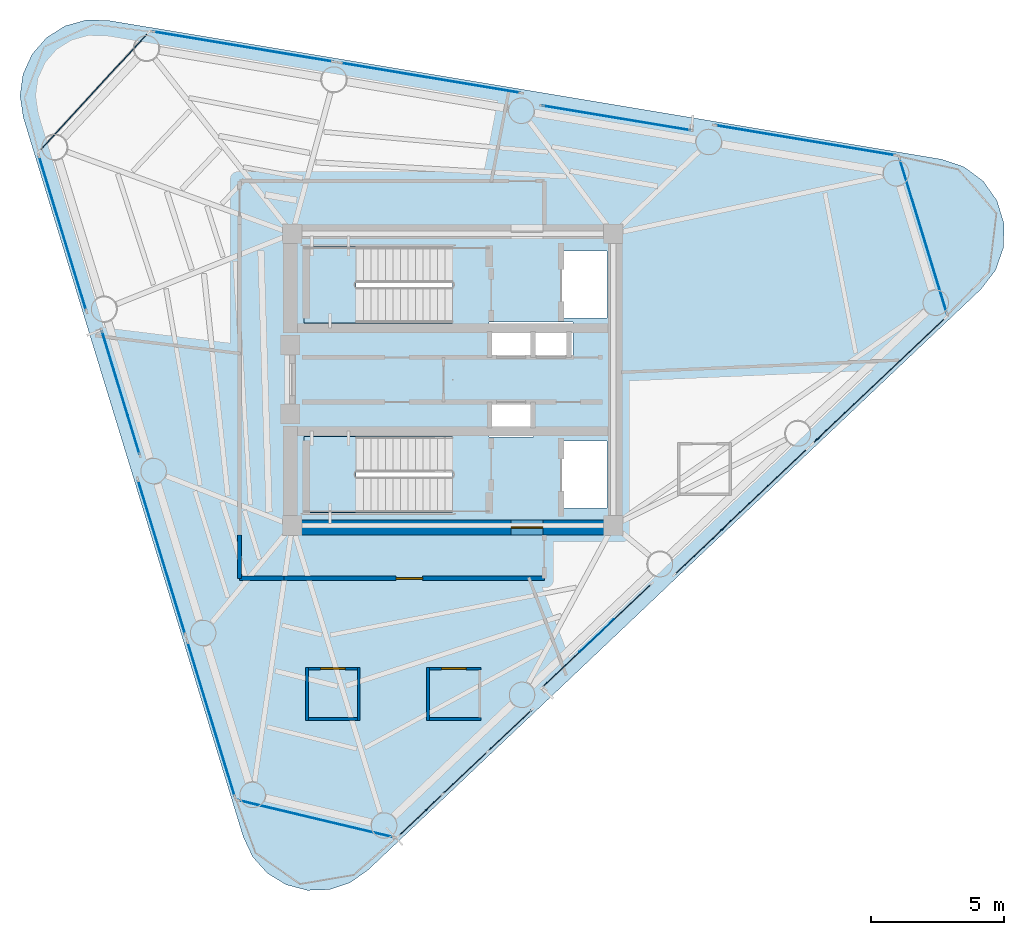
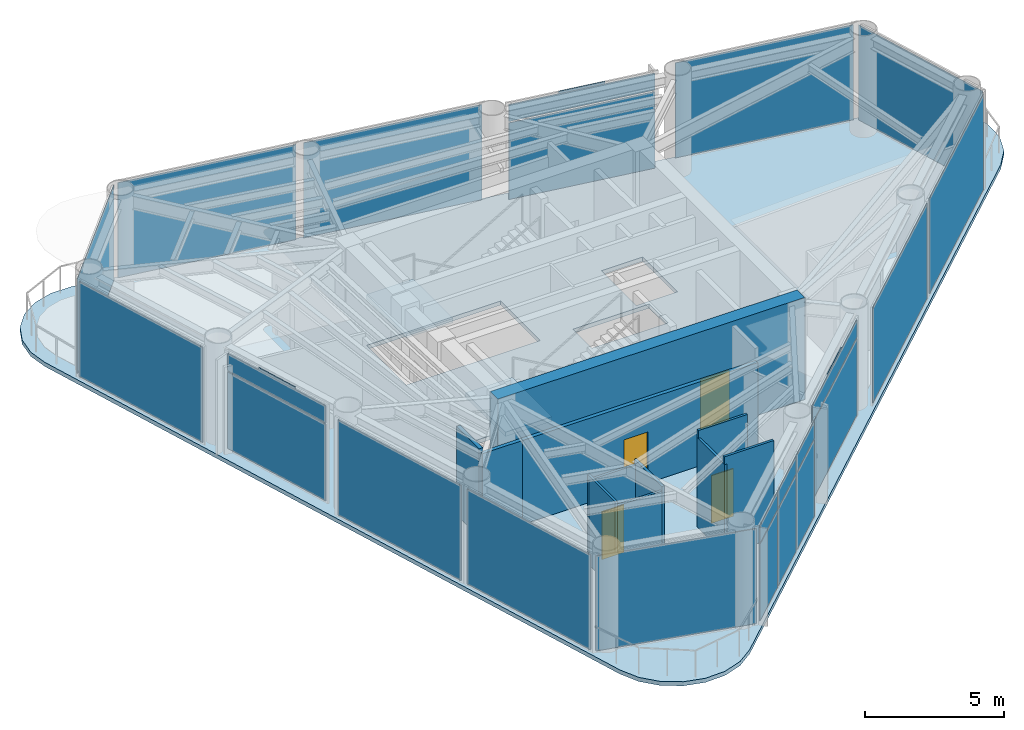
# One storey, part 5 of 11: 26 plates, 11 walls, 4 doors, 3 slabs, 4 openings, 17 elements without a shape of their own.
"""IFC4 building model written with IfcOpenShell, lengths in metres."""

from ifc_helpers import new_model, si_unit, direction, frame, frame_2d, origin, origin_2d, place, context, subcontext, project, spatial, polyline, rectangle, outline, extrude, source, transform, mapped, material, layer, layer_set, type_object, element, fill, aggregate, save


model = new_model("IFC4")

# Units and contexts
model_context = context("Model", 3, precision=1e-05, world=origin(), true_north=direction((0.0, 1.0)))
body_context = subcontext(model_context, "Body", "Model", "MODEL_VIEW")
ifc_project = project(units=[si_unit("LENGTHUNIT", "METRE"), si_unit("AREAUNIT", "SQUARE_METRE"), si_unit("VOLUMEUNIT", "CUBIC_METRE"), si_unit("PLANEANGLEUNIT", "RADIAN"), si_unit("MASSUNIT", "GRAM", prefix="KILO")], contexts=[model_context])

# Site, building, storey
site_placement = place(None, origin())
site = spatial("IfcSite", under=ifc_project, at=site_placement, CompositionType="ELEMENT")
building_placement = place(site_placement, origin())
building = spatial("IfcBuilding", under=site, at=building_placement, Name="Yunling Apex Tower", CompositionType="ELEMENT")
storey_placement = place(building_placement, frame((0.0, 0.0, 224.14990234375)))
storey = spatial("IfcBuildingStorey", under=building, at=storey_placement, Name="L54", CompositionType="ELEMENT", Elevation=224.14990234375)

# Slab
ifc_material_1 = material(Name="Concrete C40", Category="concrete")
ifc_layer_1 = layer(ifc_material_1, 0.155029296875)
ifc_layer_set_1 = layer_set([ifc_layer_1], Name="Concrete C40")
slab_type_1 = type_object("IfcSlabType", Name="SL-FLR-3", PredefinedType="FLOOR", material=ifc_layer_set_1)
slab_1_placement = place(storey_placement, frame((0.0, 0.0, -0.179931640625)))
element("IfcSlab", 1, at=slab_1_placement, inside=storey, type_object=slab_type_1, Name="L54 Composite Tower Floor Slab", PredefinedType="FLOOR", context=body_context, shape_type="SweptSolid", body=[
    extrude(outline(polyline([(-7.894287109375, -17.243408203125), (-7.54052734375, -17.991455078125), (-6.9873046875, -18.60693359375), (-6.281005859375, -19.0380859375), (-5.480712890625, -19.249267578125), (-4.65380859375, -19.22216796875), (-3.868896484375, -18.959716796875), (-3.192138671875, -18.483154296875), (19.91064453125, 3.409912109375), (20.459716796875, 4.126220703125), (20.7578125, 4.977783203125), (20.776123046875, 5.880126953125), (20.51220703125, 6.7431640625), (19.99267578125, 7.48095703125), (19.26904296875, 8.02001953125), (18.41357421875, 8.306884765625), (-12.982177734375, 13.538330078125), (-13.8095703125, 13.5546875), (-14.60693359375, 13.33349609375), (-15.307861328125, 12.8935546875), (-15.853271484375, 12.27099609375), (-16.197509765625, 11.5185546875), (-16.31201171875, 10.698974609375), (-16.187255859375, 9.881103515625), (-7.894287109375, -17.243408203125)]), holes=[polyline([(4.090087890625, 4.840087890625), (5.81005859375, 4.840087890625), (5.81005859375, 2.320068359375), (4.090087890625, 2.320068359375), (4.090087890625, 4.840087890625)]), polyline([(4.090087890625, -4.840087890625), (4.090087890625, -2.320068359375), (5.81005859375, -2.320068359375), (5.81005859375, -4.840087890625), (4.090087890625, -4.840087890625)]), polyline([(4.534912109375, 0.794921875), (1.364990234375, 0.794921875), (1.364990234375, 2.1650390625), (4.534912109375, 2.1650390625), (4.534912109375, 0.794921875)]), polyline([(1.364990234375, -0.794921875), (3.034912109375, -0.794921875), (3.034912109375, -2.1650390625), (1.364990234375, -2.1650390625), (1.364990234375, -0.794921875)]), polyline([(-0.010009765625, -5.010009765625), (-5.60009765625, -5.010009765625), (-5.60009765625, -2.139892578125), (-0.010009765625, -2.139892578125), (-0.010009765625, -5.010009765625)]), polyline([(-0.010009765625, 2.139892578125), (-5.60009765625, 2.139892578125), (-5.60009765625, 5.010009765625), (-0.010009765625, 5.010009765625), (-0.010009765625, 2.139892578125)])]), origin(), (0.0, 0.0, 1.0), 0.179931640625),
])

# Stair, slab
stair_type = type_object("IfcStairType", Name="ST-TWR-3", PredefinedType="HALF_TURN_STAIR", material=ifc_material_1)
stair_1_placement = place(storey_placement, origin())
stair_1 = element("IfcStair", 2, at=stair_1_placement, inside=storey, type_object=stair_type, Name="L54 North Core Smokeproof Exit Stair ST-1", PredefinedType="HALF_TURN_STAIR")
ifc_layer_2 = layer(ifc_material_1, 0.195068359375)
ifc_layer_set_2 = layer_set([ifc_layer_2], Name="Concrete C40")
slab_type_2 = type_object("IfcSlabType", Name="SL-LND-1", PredefinedType="LANDING", material=ifc_layer_set_2)
slab_2_placement = place(storey_placement, frame((0.0, 0.0, 2.05517578125)))
slab_2 = element("IfcSlab", 3, at=slab_2_placement, type_object=slab_type_2, Name="ST-1 landing 1", PredefinedType="LANDING", context=body_context, shape_type="SweptSolid", body=[
    extrude(outline(polyline([(-3.64990234375, 5.010009765625), (-5.60009765625, 5.010009765625), (-5.60009765625, 2.139892578125), (-3.64990234375, 2.139892578125), (-3.64990234375, 5.010009765625)])), origin(), (0.0, 0.0, 1.0), 0.19482421875),
])
aggregate(stair_1, [slab_2])

stair_2_placement = place(storey_placement, origin())
stair_2 = element("IfcStair", 4, at=stair_2_placement, inside=storey, type_object=stair_type, Name="L54 South Core Smokeproof Exit Stair ST-2", PredefinedType="HALF_TURN_STAIR")
slab_3_placement = place(storey_placement, frame((0.0, 0.0, 2.05517578125)))
slab_3 = element("IfcSlab", 5, at=slab_3_placement, type_object=slab_type_2, Name="ST-2 landing 1", PredefinedType="LANDING", context=body_context, shape_type="SweptSolid", body=[
    extrude(outline(polyline([(-3.64990234375, -2.139892578125), (-5.60009765625, -2.139892578125), (-5.60009765625, -5.010009765625), (-3.64990234375, -5.010009765625), (-3.64990234375, -2.139892578125)])), origin(), (0.0, 0.0, 1.0), 0.19482421875),
])
aggregate(stair_2, [slab_3])

# Plates
ifc_material_2 = material(Name="Bronze anodised aluminium", Category="aluminium")
ifc_layer_3 = layer(ifc_material_2, 0.011962890625)
ifc_layer_set_3 = layer_set([ifc_layer_3], Name="Bronze anodised aluminium")
plate_type_1 = type_object("IfcPlateType", Name="SP-SHT-1", PredefinedType="SHEET", material=ifc_layer_set_3)
shared_shape_1 = source(origin(), body_context, "Body", "SweptSolid", [
    extrude(rectangle(XDim=1.800048828125, YDim=0.02392578125, at=origin_2d()), origin(), (0.0, 0.0, 1.0), 0.43994140625),
])
for number, where, z_axis, x_axis, name in (
    (6, (5.429931640625, -9.651123046875, 3.920166015625), (0.0, 0.0, 1.0), (0.725854756355, 0.687848001144, 0.0), "SP-GRV-L54-F1"),
    (7, (6.168701171875, 9.860595703125, 3.920166015625), (0.0, 0.0, 1.0), (-0.986400586142, 0.164359008451, 0.0), "SP-GRV-L54-F2"),
    (8, (-12.5146484375, -0.489501953125, 3.920166015625), (0.0, 0.0, 1.0), (0.292371704723, -0.956304755963, 0.0), "SP-GRV-L54-F3"),
):
    element("IfcPlate", number, at=place(storey_placement, frame(where, z_axis=z_axis, x_axis=x_axis)), inside=storey, type_object=plate_type_1, Name=name, PredefinedType="SHEET", context=body_context, shape_type="MappedRepresentation", body=[
        mapped(shared_shape_1, transform((0.0, 0.0, 0.0), scale=1.0)),
    ])

# Curtain wall, plates
ifc_layer_4 = layer(ifc_material_2, 0.199951171875)
ifc_layer_set_4 = layer_set([ifc_layer_4], Name="Bronze anodised aluminium")
curtain_wall_type = type_object("IfcCurtainWallType", Name="CW-SYS-5", PredefinedType="NOTDEFINED", material=ifc_layer_set_4)
curtain_wall_1_placement = place(storey_placement, origin())
curtain_wall_1 = element("IfcCurtainWall", 9, at=curtain_wall_1_placement, inside=storey, type_object=curtain_wall_type, Name="CW-L54-F1-B1", PredefinedType="NOTDEFINED")
ifc_material_3 = material(Name="Bronze tinted low-E glass", Category="glass")
ifc_layer_5 = layer(ifc_material_3, 0.028076171875)
ifc_layer_set_5 = layer_set([ifc_layer_5], Name="Bronze tinted low-E glass")
plate_type_2 = type_object("IfcPlateType", Name="CW-PNL-5", PredefinedType="CURTAIN_PANEL", material=ifc_layer_set_5)
shared_shape_2 = source(origin(), body_context, "Body", "SweptSolid", [
    extrude(rectangle(XDim=2.23681640625, YDim=0.028076171875, at=origin_2d()), origin(), (0.0, 0.0, 1.0), 3.373046875),
])
plate_1_placement = place(storey_placement, frame((-1.214599609375, -16.416259765625, 0.0673828125), z_axis=(0.0, 0.0, 1.0), x_axis=(0.72585471909, 0.687848040467, 0.0)))
plate_1 = element("IfcPlate", 10, at=plate_1_placement, type_object=plate_type_2, Name="CW-SYS-5 panel 1.1", PredefinedType="CURTAIN_PANEL", context=body_context, shape_type="MappedRepresentation", body=[
    mapped(shared_shape_2, transform((0.0, 0.0, 0.0), scale=1.0)),
])
plate_2_placement = place(storey_placement, frame((2.14599609375, -13.2314453125, 0.0673828125), z_axis=(0.0, 0.0, 1.0), x_axis=(0.72585471909, 0.687848040467, 0.0)))
plate_2 = element("IfcPlate", 11, at=plate_2_placement, type_object=plate_type_2, Name="CW-SYS-5 panel 3.1", PredefinedType="CURTAIN_PANEL", context=body_context, shape_type="MappedRepresentation", body=[
    mapped(shared_shape_2, transform((0.0, 0.0, 0.0), scale=1.0)),
])
shared_shape_3 = source(origin(), body_context, "Body", "SweptSolid", [
    extrude(rectangle(XDim=2.23681640625, YDim=0.028076171875, at=origin_2d()), origin(), (0.0, 0.0, 1.0), 0.7529296875),
])
plate_3_placement = place(storey_placement, frame((-1.214599609375, -16.416259765625, 3.5), z_axis=(0.0, 0.0, 1.0), x_axis=(0.72585471909, 0.687848040467, 0.0)))
plate_3 = element("IfcPlate", 12, at=plate_3_placement, type_object=plate_type_2, Name="CW-SYS-5 panel 1.2", PredefinedType="CURTAIN_PANEL", context=body_context, shape_type="MappedRepresentation", body=[
    mapped(shared_shape_3, transform((0.0, 0.0, 0.0), scale=1.0)),
])
plate_4_placement = place(storey_placement, frame((2.14599609375, -13.2314453125, 3.5), z_axis=(0.0, 0.0, 1.0), x_axis=(0.72585471909, 0.687848040467, 0.0)))
plate_4 = element("IfcPlate", 13, at=plate_4_placement, type_object=plate_type_2, Name="CW-SYS-5 panel 3.2", PredefinedType="CURTAIN_PANEL", context=body_context, shape_type="MappedRepresentation", body=[
    mapped(shared_shape_3, transform((0.0, 0.0, 0.0), scale=1.0)),
])
shared_shape_4 = source(origin(), body_context, "Body", "SweptSolid", [
    extrude(rectangle(XDim=2.2744140625, YDim=0.028076171875, at=origin_2d()), origin(), (0.0, 0.0, 1.0), 3.373046875),
])
plate_5_placement = place(storey_placement, frame((0.4658203125, -14.823974609375, 0.0673828125), z_axis=(0.0, 0.0, 1.0), x_axis=(0.72585471909, 0.687848040467, 0.0)))
plate_5 = element("IfcPlate", 14, at=plate_5_placement, type_object=plate_type_2, Name="CW-SYS-5 panel 2.1", PredefinedType="CURTAIN_PANEL", context=body_context, shape_type="MappedRepresentation", body=[
    mapped(shared_shape_4, transform((0.0, 0.0, 0.0), scale=1.0)),
])
shared_shape_5 = source(origin(), body_context, "Body", "SweptSolid", [
    extrude(rectangle(XDim=2.2744140625, YDim=0.028076171875, at=origin_2d()), origin(), (0.0, 0.0, 1.0), 0.7529296875),
])
plate_6_placement = place(storey_placement, frame((0.4658203125, -14.823974609375, 3.5), z_axis=(0.0, 0.0, 1.0), x_axis=(0.72585471909, 0.687848040467, 0.0)))
plate_6 = element("IfcPlate", 15, at=plate_6_placement, type_object=plate_type_2, Name="CW-SYS-5 panel 2.2", PredefinedType="CURTAIN_PANEL", context=body_context, shape_type="MappedRepresentation", body=[
    mapped(shared_shape_5, transform((0.0, 0.0, 0.0), scale=1.0)),
])
aggregate(curtain_wall_1, [plate_1, plate_3, plate_5, plate_6, plate_2, plate_4])

# Curtain wall, plate
curtain_wall_2_placement = place(storey_placement, origin())
curtain_wall_2 = element("IfcCurtainWall", 16, at=curtain_wall_2_placement, inside=storey, type_object=curtain_wall_type, Name="CW-L54-F1-B2", PredefinedType="NOTDEFINED")
shared_shape_6 = source(origin(), body_context, "Body", "SweptSolid", [
    extrude(rectangle(XDim=5.626953125, YDim=0.028076171875, at=origin_2d()), origin(), (0.0, 0.0, 1.0), 3.373046875),
])
plate_7_placement = place(storey_placement, frame((5.429931640625, -9.651123046875, 0.0673828125), z_axis=(0.0, 0.0, 1.0), x_axis=(0.725848686167, 0.687854406681, 0.0)))
plate_7 = element("IfcPlate", 17, at=plate_7_placement, type_object=plate_type_2, Name="CW-SYS-5 panel 1.1", PredefinedType="CURTAIN_PANEL", context=body_context, shape_type="MappedRepresentation", body=[
    mapped(shared_shape_6, transform((0.0, 0.0, 0.0), scale=1.0)),
])

curtain_wall_3_placement = place(storey_placement, origin())
curtain_wall_3 = element("IfcCurtainWall", 18, at=curtain_wall_3_placement, inside=storey, type_object=curtain_wall_type, Name="CW-L54-F2-B2", PredefinedType="NOTDEFINED")
plate_8_placement = place(storey_placement, frame((6.168701171875, 9.860595703125, 0.0673828125), z_axis=(0.0, 0.0, 1.0), x_axis=(-0.986398614513, 0.164370840747, 0.0)))
plate_8 = element("IfcPlate", 19, at=plate_8_placement, type_object=plate_type_2, Name="CW-SYS-5 panel 1.1", PredefinedType="CURTAIN_PANEL", context=body_context, shape_type="MappedRepresentation", body=[
    mapped(shared_shape_6, transform((0.0, 0.0, 0.0), scale=1.0)),
])

# Plate
shared_shape_7 = source(origin(), body_context, "Body", "SweptSolid", [
    extrude(rectangle(XDim=5.626953125, YDim=0.028076171875, at=origin_2d()), origin(), (0.0, 0.0, 1.0), 0.7529296875),
])
plate_9_placement = place(storey_placement, frame((5.429931640625, -9.651123046875, 3.5), z_axis=(0.0, 0.0, 1.0), x_axis=(0.725848686167, 0.687854406681, 0.0)))
plate_9 = element("IfcPlate", 20, at=plate_9_placement, type_object=plate_type_2, Name="CW-SYS-5 panel 1.2", PredefinedType="CURTAIN_PANEL", context=body_context, shape_type="MappedRepresentation", body=[
    mapped(shared_shape_7, transform((0.0, 0.0, 0.0), scale=1.0)),
])

aggregate(curtain_wall_2, [plate_7, plate_9])

plate_10_placement = place(storey_placement, frame((6.168701171875, 9.860595703125, 3.5), z_axis=(0.0, 0.0, 1.0), x_axis=(-0.986398614513, 0.164370840747, 0.0)))
plate_10 = element("IfcPlate", 21, at=plate_10_placement, type_object=plate_type_2, Name="CW-SYS-5 panel 1.2", PredefinedType="CURTAIN_PANEL", context=body_context, shape_type="MappedRepresentation", body=[
    mapped(shared_shape_7, transform((0.0, 0.0, 0.0), scale=1.0)),
])

aggregate(curtain_wall_3, [plate_8, plate_10])

# Curtain wall, plate
curtain_wall_4_placement = place(storey_placement, origin())
curtain_wall_4 = element("IfcCurtainWall", 22, at=curtain_wall_4_placement, inside=storey, type_object=curtain_wall_type, Name="CW-L54-F1-B3", PredefinedType="NOTDEFINED")
shared_shape_8 = source(origin(), body_context, "Body", "SweptSolid", [
    extrude(rectangle(XDim=6.866943359375, YDim=0.028076171875, at=origin_2d()), origin(), (0.0, 0.0, 1.0), 4.185546875),
])
plate_11_placement = place(storey_placement, frame((10.862060546875, -4.97216796875, 0.0673828125), z_axis=(0.0, 0.0, 1.0), x_axis=(0.72585471909, 0.687848040467, 0.0)))
plate_11 = element("IfcPlate", 23, at=plate_11_placement, type_object=plate_type_2, Name="CW-SYS-5 panel 1.1", PredefinedType="CURTAIN_PANEL", context=body_context, shape_type="MappedRepresentation", body=[
    mapped(shared_shape_8, transform((0.0, 0.0, 0.0), scale=1.0)),
])
aggregate(curtain_wall_4, [plate_11])

curtain_wall_5_placement = place(storey_placement, origin())
curtain_wall_5 = element("IfcCurtainWall", 24, at=curtain_wall_5_placement, inside=storey, type_object=curtain_wall_type, Name="CW-L54-F1-B4", PredefinedType="NOTDEFINED")
plate_12_placement = place(storey_placement, frame((16.060302734375, -0.046142578125, 0.0673828125), z_axis=(0.0, 0.0, 1.0), x_axis=(0.72585471909, 0.687848040467, 0.0)))
plate_12 = element("IfcPlate", 25, at=plate_12_placement, type_object=plate_type_2, Name="CW-SYS-5 panel 1.1", PredefinedType="CURTAIN_PANEL", context=body_context, shape_type="MappedRepresentation", body=[
    mapped(shared_shape_8, transform((0.0, 0.0, 0.0), scale=1.0)),
])
aggregate(curtain_wall_5, [plate_12])

curtain_wall_6_placement = place(storey_placement, origin())
curtain_wall_6 = element("IfcCurtainWall", 26, at=curtain_wall_6_placement, inside=storey, type_object=curtain_wall_type, Name="CW-L54-F2-B1", PredefinedType="NOTDEFINED")
plate_13_placement = place(storey_placement, frame((13.288818359375, 9.01904296875, 0.0673828125), z_axis=(0.0, 0.0, 1.0), x_axis=(-0.9864016432, 0.164352664392, 0.0)))
plate_13 = element("IfcPlate", 27, at=plate_13_placement, type_object=plate_type_2, Name="CW-SYS-5 panel 1.1", PredefinedType="CURTAIN_PANEL", context=body_context, shape_type="MappedRepresentation", body=[
    mapped(shared_shape_8, transform((0.0, 0.0, 0.0), scale=1.0)),
])
aggregate(curtain_wall_6, [plate_13])

curtain_wall_7_placement = place(storey_placement, origin())
curtain_wall_7 = element("IfcCurtainWall", 28, at=curtain_wall_7_placement, inside=storey, type_object=curtain_wall_type, Name="CW-L54-F2-B3", PredefinedType="NOTDEFINED")
plate_14_placement = place(storey_placement, frame((-0.83935546875, 11.373046875, 0.0673828125), z_axis=(0.0, 0.0, 1.0), x_axis=(-0.9864016432, 0.164352664392, 0.0)))
plate_14 = element("IfcPlate", 29, at=plate_14_placement, type_object=plate_type_2, Name="CW-SYS-5 panel 1.1", PredefinedType="CURTAIN_PANEL", context=body_context, shape_type="MappedRepresentation", body=[
    mapped(shared_shape_8, transform((0.0, 0.0, 0.0), scale=1.0)),
])
aggregate(curtain_wall_7, [plate_14])

curtain_wall_8_placement = place(storey_placement, origin())
curtain_wall_8 = element("IfcCurtainWall", 30, at=curtain_wall_8_placement, inside=storey, type_object=curtain_wall_type, Name="CW-L54-F2-B4", PredefinedType="NOTDEFINED")
plate_15_placement = place(storey_placement, frame((-7.9033203125, 12.550048828125, 0.0673828125), z_axis=(0.0, 0.0, 1.0), x_axis=(-0.9864016432, 0.164352664392, 0.0)))
plate_15 = element("IfcPlate", 31, at=plate_15_placement, type_object=plate_type_2, Name="CW-SYS-5 panel 1.1", PredefinedType="CURTAIN_PANEL", context=body_context, shape_type="MappedRepresentation", body=[
    mapped(shared_shape_8, transform((0.0, 0.0, 0.0), scale=1.0)),
])
aggregate(curtain_wall_8, [plate_15])

curtain_wall_9_placement = place(storey_placement, origin())
curtain_wall_9 = element("IfcCurtainWall", 32, at=curtain_wall_9_placement, inside=storey, type_object=curtain_wall_type, Name="CW-L54-CRN1", PredefinedType="NOTDEFINED")
shared_shape_9 = source(origin(), body_context, "Body", "SweptSolid", [
    extrude(rectangle(XDim=6.1181640625, YDim=0.028076171875, at=origin_2d()), origin(), (0.0, 0.0, 1.0), 4.185546875),
])
plate_16_placement = place(storey_placement, frame((17.7314453125, 5.421142578125, 0.0673828125), z_axis=(0.0, 0.0, 1.0), x_axis=(-0.292369275379, 0.956305498685, 0.0)))
plate_16 = element("IfcPlate", 33, at=plate_16_placement, type_object=plate_type_2, Name="CW-SYS-5 panel 1.1", PredefinedType="CURTAIN_PANEL", context=body_context, shape_type="MappedRepresentation", body=[
    mapped(shared_shape_9, transform((0.0, 0.0, 0.0), scale=1.0)),
])
aggregate(curtain_wall_9, [plate_16])

curtain_wall_10_placement = place(storey_placement, origin())
curtain_wall_10 = element("IfcCurtainWall", 34, at=curtain_wall_10_placement, inside=storey, type_object=curtain_wall_type, Name="CW-L54-CRN2", PredefinedType="NOTDEFINED")
shared_shape_10 = source(origin(), body_context, "Body", "SweptSolid", [
    extrude(rectangle(XDim=6.042724609375, YDim=0.028076171875, at=origin_2d()), origin(), (0.0, 0.0, 1.0), 4.185546875),
])
plate_17_placement = place(storey_placement, frame((-13.529052734375, 10.84521484375, 0.0673828125), z_axis=(0.0, 0.0, 1.0), x_axis=(-0.676835909266, -0.736133922549, 0.0)))
plate_17 = element("IfcPlate", 35, at=plate_17_placement, type_object=plate_type_2, Name="CW-SYS-5 panel 1.1", PredefinedType="CURTAIN_PANEL", context=body_context, shape_type="MappedRepresentation", body=[
    mapped(shared_shape_10, transform((0.0, 0.0, 0.0), scale=1.0)),
])
aggregate(curtain_wall_10, [plate_17])

curtain_wall_11_placement = place(storey_placement, origin())
curtain_wall_11 = element("IfcCurtainWall", 36, at=curtain_wall_11_placement, inside=storey, type_object=curtain_wall_type, Name="CW-L54-F3-B1", PredefinedType="NOTDEFINED")
shared_shape_11 = source(origin(), body_context, "Body", "SweptSolid", [
    extrude(rectangle(XDim=6.08740234375, YDim=0.028076171875, at=origin_2d()), origin(), (0.0, 0.0, 1.0), 4.185546875),
])
plate_18_placement = place(storey_placement, frame((-14.705810546875, 5.51416015625, 0.0673828125), z_axis=(0.0, 0.0, 1.0), x_axis=(0.29237206414, -0.956304646078, 0.0)))
plate_18 = element("IfcPlate", 37, at=plate_18_placement, type_object=plate_type_2, Name="CW-SYS-5 panel 1.1", PredefinedType="CURTAIN_PANEL", context=body_context, shape_type="MappedRepresentation", body=[
    mapped(shared_shape_11, transform((0.0, 0.0, 0.0), scale=1.0)),
])
aggregate(curtain_wall_11, [plate_18])

curtain_wall_12_placement = place(storey_placement, origin())
curtain_wall_12 = element("IfcCurtainWall", 38, at=curtain_wall_12_placement, inside=storey, type_object=curtain_wall_type, Name="CW-L54-F3-B3", PredefinedType="NOTDEFINED")
plate_19_placement = place(storey_placement, frame((-10.973876953125, -6.69189453125, 0.0673828125), z_axis=(0.0, 0.0, 1.0), x_axis=(0.29237206414, -0.956304646078, 0.0)))
plate_19 = element("IfcPlate", 39, at=plate_19_placement, type_object=plate_type_2, Name="CW-SYS-5 panel 1.1", PredefinedType="CURTAIN_PANEL", context=body_context, shape_type="MappedRepresentation", body=[
    mapped(shared_shape_11, transform((0.0, 0.0, 0.0), scale=1.0)),
])
aggregate(curtain_wall_12, [plate_19])

curtain_wall_13_placement = place(storey_placement, origin())
curtain_wall_13 = element("IfcCurtainWall", 40, at=curtain_wall_13_placement, inside=storey, type_object=curtain_wall_type, Name="CW-L54-F3-B4", PredefinedType="NOTDEFINED")
plate_20_placement = place(storey_placement, frame((-9.108154296875, -12.794921875, 0.0673828125), z_axis=(0.0, 0.0, 1.0), x_axis=(0.29237206414, -0.956304646078, 0.0)))
plate_20 = element("IfcPlate", 41, at=plate_20_placement, type_object=plate_type_2, Name="CW-SYS-5 panel 1.1", PredefinedType="CURTAIN_PANEL", context=body_context, shape_type="MappedRepresentation", body=[
    mapped(shared_shape_11, transform((0.0, 0.0, 0.0), scale=1.0)),
])
aggregate(curtain_wall_13, [plate_20])

# Curtain wall, plates
curtain_wall_14_placement = place(storey_placement, origin())
curtain_wall_14 = element("IfcCurtainWall", 42, at=curtain_wall_14_placement, inside=storey, type_object=curtain_wall_type, Name="CW-L54-F3-B2", PredefinedType="NOTDEFINED")
shared_shape_12 = source(origin(), body_context, "Body", "SweptSolid", [
    extrude(rectangle(XDim=4.847412109375, YDim=0.028076171875, at=origin_2d()), origin(), (0.0, 0.0, 1.0), 3.373046875),
])
plate_21_placement = place(storey_placement, frame((-12.5146484375, -0.489501953125, 0.0673828125), z_axis=(0.0, 0.0, 1.0), x_axis=(0.29237304737, -0.956304345474, 0.0)))
plate_21 = element("IfcPlate", 43, at=plate_21_placement, type_object=plate_type_2, Name="CW-SYS-5 panel 1.1", PredefinedType="CURTAIN_PANEL", context=body_context, shape_type="MappedRepresentation", body=[
    mapped(shared_shape_12, transform((0.0, 0.0, 0.0), scale=1.0)),
])
shared_shape_13 = source(origin(), body_context, "Body", "SweptSolid", [
    extrude(rectangle(XDim=4.847412109375, YDim=0.028076171875, at=origin_2d()), origin(), (0.0, 0.0, 1.0), 0.7529296875),
])
plate_22_placement = place(storey_placement, frame((-12.5146484375, -0.489501953125, 3.5), z_axis=(0.0, 0.0, 1.0), x_axis=(0.29237304737, -0.956304345474, 0.0)))
plate_22 = element("IfcPlate", 44, at=plate_22_placement, type_object=plate_type_2, Name="CW-SYS-5 panel 1.2", PredefinedType="CURTAIN_PANEL", context=body_context, shape_type="MappedRepresentation", body=[
    mapped(shared_shape_13, transform((0.0, 0.0, 0.0), scale=1.0)),
])
aggregate(curtain_wall_14, [plate_21, plate_22])

# Curtain wall, plate
curtain_wall_15_placement = place(storey_placement, origin())
curtain_wall_15 = element("IfcCurtainWall", 45, at=curtain_wall_15_placement, inside=storey, type_object=curtain_wall_type, Name="CW-L54-CRN3", PredefinedType="NOTDEFINED")
shared_shape_14 = source(origin(), body_context, "Body", "SweptSolid", [
    extrude(rectangle(XDim=6.04248046875, YDim=0.028076171875, at=origin_2d()), origin(), (0.0, 0.0, 1.0), 4.185546875),
])
plate_23_placement = place(storey_placement, frame((-5.151611328125, -16.556396484375, 0.0673828125), z_axis=(0.0, 0.0, 1.0), x_axis=(0.97276120775, -0.231809474992, 0.0)))
plate_23 = element("IfcPlate", 46, at=plate_23_placement, type_object=plate_type_2, Name="CW-SYS-5 panel 1.1", PredefinedType="CURTAIN_PANEL", context=body_context, shape_type="MappedRepresentation", body=[
    mapped(shared_shape_14, transform((0.0, 0.0, 0.0), scale=1.0)),
])
aggregate(curtain_wall_15, [plate_23])

# Wall, opening, door
ifc_layer_6 = layer(ifc_material_1, 0.550048828125)
ifc_layer_set_6 = layer_set([ifc_layer_6], Name="Concrete C40")
wall_type_1 = type_object("IfcWallType", Name="WL-COR-3", PredefinedType="SHEAR", material=ifc_layer_set_6)
wall_1_placement = place(storey_placement, frame((-6.39990234375, -5.574951171875, 0.0), z_axis=(0.0, 0.0, 1.0), x_axis=(1.0, 0.0, 0.0)))
wall_1 = element("IfcWall", 47, at=wall_1_placement, inside=storey, type_object=wall_type_1, Name="L54 South Core Shear Wall", PredefinedType="SHEAR", context=body_context, shape_type="SweptSolid", body=[
    extrude(rectangle(XDim=12.7998046875, YDim=0.550048828125, at=frame_2d((6.39990234375, 0.0))), origin(), (0.0, 0.0, 1.0), 4.5),
])
opening_1_placement = place(wall_1_placement, frame((8.60009765625, 0.0, 0.0)))
opening_1 = element("IfcOpeningElement", 48, at=opening_1_placement, cuts=wall_1, Name="Opening DR-FFL-1", PredefinedType="OPENING", context=body_context, shape_type="SweptSolid", body=[
    extrude(rectangle(XDim=1.199951171875, YDim=2.199951171875, at=frame_2d((0.60009765625, 1.10009765625))), frame((0.0, 0.28515625, 0.0), z_axis=(0.0, -1.0, 0.0), x_axis=(1.0, 0.0, 0.0)), (0.0, 0.0, 1.0), 0.570068359375),
])
ifc_material_4 = material(Name="Steel Q355B", Category="steel")
door_type_1 = type_object("IfcDoorType", Name="DR-FFL-1", OperationType="NOTDEFINED", PredefinedType="DOOR", material=ifc_material_4)
door_1_placement = place(opening_1_placement, origin())
door_1 = element("IfcDoor", 49, at=door_1_placement, inside=storey, type_object=door_type_1, Name="L54 South Firefighting Lobby Door", OperationType="SINGLE_SWING_RIGHT", OverallHeight=2.199951171875, OverallWidth=1.199951171875, PredefinedType="DOOR", context=body_context, shape_type="SweptSolid", body=[
    extrude(rectangle(XDim=1.199951171875, YDim=2.199951171875, at=frame_2d((0.60009765625, 1.10009765625))), frame((0.0, 0.02490234375, 0.0), z_axis=(0.0, -1.0, 0.0), x_axis=(1.0, 0.0, 0.0)), (0.0, 0.0, 1.0), 0.050048828125),
])
fill(opening_1, door_1)

ifc_material_5 = material(Name="Gypsum board acoustic partition")
ifc_layer_7 = layer(ifc_material_5, 0.159912109375)
ifc_layer_set_7 = layer_set([ifc_layer_7], Name="Gypsum board acoustic partition")
wall_type_2 = type_object("IfcWallType", Name="WL-PRT-1", PredefinedType="PARTITIONING", material=ifc_layer_set_7)
wall_2_placement = place(storey_placement, frame((3.449951171875, -7.489990234375, 0.0), z_axis=(0.0, 0.0, 1.0), x_axis=(-1.0, 0.0, 0.0)))
wall_2 = element("IfcWall", 50, at=wall_2_placement, inside=storey, type_object=wall_type_2, Name="WL-CORR-L54-06", PredefinedType="PARTITIONING", context=body_context, shape_type="SweptSolid", body=[
    extrude(rectangle(XDim=9.81005859375, YDim=0.159912109375, at=frame_2d((4.905029296875, 0.0))), origin(), (0.0, 0.0, 1.0), 3.705078125),
])
opening_2_placement = place(wall_2_placement, frame((4.585205078125, 0.0, 0.0)))
opening_2 = element("IfcOpeningElement", 51, at=opening_2_placement, cuts=wall_2, Name="Opening DR-OFF-1", PredefinedType="OPENING", context=body_context, shape_type="SweptSolid", body=[
    extrude(rectangle(XDim=1.0, YDim=2.25, at=frame_2d((0.5, 1.125))), frame((0.0, 0.08984375, 0.0), z_axis=(0.0, -1.0, 0.0), x_axis=(1.0, 0.0, 0.0)), (0.0, 0.0, 1.0), 0.179931640625),
])
door_type_2 = type_object("IfcDoorType", Name="DR-OFF-1", OperationType="NOTDEFINED", PredefinedType="DOOR", material=ifc_material_2)
door_2_placement = place(opening_2_placement, origin())
door_2 = element("IfcDoor", 52, at=door_2_placement, inside=storey, type_object=door_type_2, Name="L54 Service Foyer Lounge Door", OperationType="SINGLE_SWING_LEFT", OverallHeight=2.25, OverallWidth=1.0, PredefinedType="DOOR", context=body_context, shape_type="SweptSolid", body=[
    extrude(rectangle(XDim=1.0, YDim=2.25, at=frame_2d((0.5, 1.125))), frame((0.0, 0.02490234375, 0.0), z_axis=(0.0, -1.0, 0.0), x_axis=(1.0, 0.0, 0.0)), (0.0, 0.0, 1.0), 0.050048828125),
])
fill(opening_2, door_2)

# Walls
wall_3_placement = place(storey_placement, frame((-6.360107421875, -7.489990234375, 0.0), z_axis=(0.0, 0.0, 1.0), x_axis=(-1.0, 0.0, 0.0)))
element("IfcWall", 53, at=wall_3_placement, inside=storey, type_object=wall_type_2, Name="WL-CORR-L54-07", PredefinedType="PARTITIONING", context=body_context, shape_type="SweptSolid", body=[
    extrude(rectangle(XDim=1.679931640625, YDim=0.159912109375, at=frame_2d((0.83984375, 0.0))), origin(), (0.0, 0.0, 1.0), 3.705078125),
])
wall_4_placement = place(storey_placement, frame((-8.0400390625, -7.489990234375, 0.0), z_axis=(0.0, 0.0, 1.0), x_axis=(0.0, 1.0, 0.0)))
element("IfcWall", 54, at=wall_4_placement, inside=storey, type_object=wall_type_2, Name="WL-CORR-L54-08", PredefinedType="PARTITIONING", context=body_context, shape_type="SweptSolid", body=[
    extrude(rectangle(XDim=1.639892578125, YDim=0.159912109375, at=frame_2d((0.81982421875, 0.0))), origin(), (0.0, 0.0, 1.0), 3.905029296875),
])

# Wall, opening, door
ifc_layer_8 = layer(ifc_material_5, 0.10009765625)
ifc_layer_set_8 = layer_set([ifc_layer_8], Name="Gypsum board acoustic partition")
wall_type_3 = type_object("IfcWallType", Name="WL-PRT-4", PredefinedType="PARTITIONING", material=ifc_layer_set_8)
wall_5_placement = place(storey_placement, frame((-5.54296875, -10.89404296875, 0.0), z_axis=(0.0, 0.0, 1.0), x_axis=(1.0, 0.0, 0.0)))
wall_5 = element("IfcWall", 55, at=wall_5_placement, inside=storey, type_object=wall_type_3, Name="WL-L54-WCMN", PredefinedType="PARTITIONING", context=body_context, shape_type="SweptSolid", body=[
    extrude(rectangle(XDim=2.050048828125, YDim=0.10009765625, at=frame_2d((1.02490234375, 0.0))), origin(), (0.0, 0.0, 1.0), 3.705078125),
])
opening_3_placement = place(wall_5_placement, frame((0.56494140625, 0.0, 0.0)))
opening_3 = element("IfcOpeningElement", 56, at=opening_3_placement, cuts=wall_5, Name="Opening DR-WC-1", PredefinedType="OPENING", context=body_context, shape_type="SweptSolid", body=[
    extrude(rectangle(XDim=0.919921875, YDim=2.10009765625, at=frame_2d((0.4599609375, 1.050048828125))), frame((0.0, 0.06005859375, 0.0), z_axis=(0.0, -1.0, 0.0), x_axis=(1.0, 0.0, 0.0)), (0.0, 0.0, 1.0), 0.1201171875),
])
ifc_material_6 = material(Name="Timber moisture-resistant leaf", Category="wood")
door_type_3 = type_object("IfcDoorType", Name="DR-WC-1", OperationType="NOTDEFINED", PredefinedType="DOOR", material=ifc_material_6)
door_3_placement = place(opening_3_placement, origin())
door_3 = element("IfcDoor", 57, at=door_3_placement, inside=storey, type_object=door_type_3, Name="L54 Male Toilet Door", OperationType="SINGLE_SWING_LEFT", OverallHeight=2.10009765625, OverallWidth=0.919921875, PredefinedType="DOOR", context=body_context, shape_type="SweptSolid", body=[
    extrude(rectangle(XDim=0.919921875, YDim=2.10009765625, at=frame_2d((0.4599609375, 1.050048828125))), frame((0.0, 0.02490234375, 0.0), z_axis=(0.0, -1.0, 0.0), x_axis=(1.0, 0.0, 0.0)), (0.0, 0.0, 1.0), 0.050048828125),
])
fill(opening_3, door_3)

# Walls
wall_6_placement = place(storey_placement, frame((-3.492919921875, -12.7939453125, 0.0), z_axis=(0.0, 0.0, 1.0), x_axis=(-1.0, 0.0, 0.0)))
element("IfcWall", 58, at=wall_6_placement, inside=storey, type_object=wall_type_3, Name="WL-L54-WCMS", PredefinedType="PARTITIONING", context=body_context, shape_type="SweptSolid", body=[
    extrude(rectangle(XDim=2.050048828125, YDim=0.10009765625, at=frame_2d((1.02490234375, 0.0))), origin(), (0.0, 0.0, 1.0), 3.705078125),
])
for number, where, z_axis, x_axis, name in (
    (59, (-3.54296875, -10.843994140625, 0.0), (0.0, 0.0, 1.0), (0.0, -1.0, 0.0), "WL-L54-WCME"),
    (60, (-5.492919921875, -12.843994140625, 0.0), (0.0, 0.0, 1.0), (0.0, 1.0, 0.0), "WL-L54-WCMW"),
):
    element("IfcWall", number, at=place(storey_placement, frame(where, z_axis=z_axis, x_axis=x_axis)), inside=storey, type_object=wall_type_3, Name=name, PredefinedType="PARTITIONING", context=body_context, shape_type="SweptSolid", body=[
        extrude(rectangle(XDim=2.0, YDim=0.10009765625, at=frame_2d((1.0, 0.0))), origin(), (0.0, 0.0, 1.0), 3.905029296875),
    ])

# Wall, opening, door
wall_7_placement = place(storey_placement, frame((-0.98291015625, -10.89404296875, 0.0), z_axis=(0.0, 0.0, 1.0), x_axis=(1.0, 0.0, 0.0)))
wall_7 = element("IfcWall", 61, at=wall_7_placement, inside=storey, type_object=wall_type_3, Name="WL-L54-WCFN", PredefinedType="PARTITIONING", context=body_context, shape_type="SweptSolid", body=[
    extrude(rectangle(XDim=2.0498046875, YDim=0.10009765625, at=frame_2d((1.02490234375, 0.0))), origin(), (0.0, 0.0, 1.0), 4.300048828125),
])
opening_4_placement = place(wall_7_placement, frame((0.56494140625, 0.0, 0.0)))
opening_4 = element("IfcOpeningElement", 62, at=opening_4_placement, cuts=wall_7, Name="Opening DR-WC-1", PredefinedType="OPENING", context=body_context, shape_type="SweptSolid", body=[
    extrude(rectangle(XDim=0.919921875, YDim=2.10009765625, at=frame_2d((0.4599609375, 1.050048828125))), frame((0.0, 0.06005859375, 0.0), z_axis=(0.0, -1.0, 0.0), x_axis=(1.0, 0.0, 0.0)), (0.0, 0.0, 1.0), 0.1201171875),
])
door_4_placement = place(opening_4_placement, origin())
door_4 = element("IfcDoor", 63, at=door_4_placement, inside=storey, type_object=door_type_3, Name="L54 Female Toilet Door", OperationType="SINGLE_SWING_RIGHT", OverallHeight=2.10009765625, OverallWidth=0.919921875, PredefinedType="DOOR", context=body_context, shape_type="SweptSolid", body=[
    extrude(rectangle(XDim=0.919921875, YDim=2.10009765625, at=frame_2d((0.4599609375, 1.050048828125))), frame((0.0, 0.02490234375, 0.0), z_axis=(0.0, -1.0, 0.0), x_axis=(1.0, 0.0, 0.0)), (0.0, 0.0, 1.0), 0.050048828125),
])
fill(opening_4, door_4)

# Walls
wall_8_placement = place(storey_placement, frame((1.06689453125, -12.7939453125, 0.0), z_axis=(0.0, 0.0, 1.0), x_axis=(-1.0, 0.0, 0.0)))
element("IfcWall", 64, at=wall_8_placement, inside=storey, type_object=wall_type_3, Name="WL-L54-WCFS", PredefinedType="PARTITIONING", context=body_context, shape_type="SweptSolid", body=[
    extrude(rectangle(XDim=2.0498046875, YDim=0.10009765625, at=frame_2d((1.02490234375, 0.0))), origin(), (0.0, 0.0, 1.0), 4.300048828125),
])
wall_9_placement = place(storey_placement, frame((-0.93310546875, -12.843994140625, 0.0), z_axis=(0.0, 0.0, 1.0), x_axis=(0.0, 1.0, 0.0)))
element("IfcWall", 65, at=wall_9_placement, inside=storey, type_object=wall_type_3, Name="WL-L54-WCFW", PredefinedType="PARTITIONING", context=body_context, shape_type="SweptSolid", body=[
    extrude(rectangle(XDim=2.0, YDim=0.10009765625, at=frame_2d((1.0, 0.0))), origin(), (0.0, 0.0, 1.0), 3.955078125),
])

save(model, "model.ifc")
